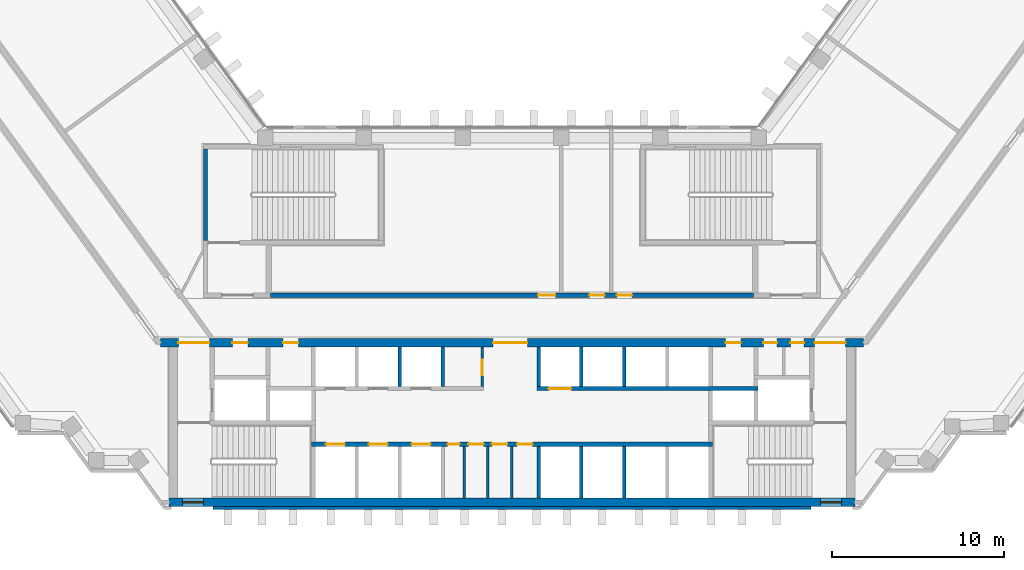
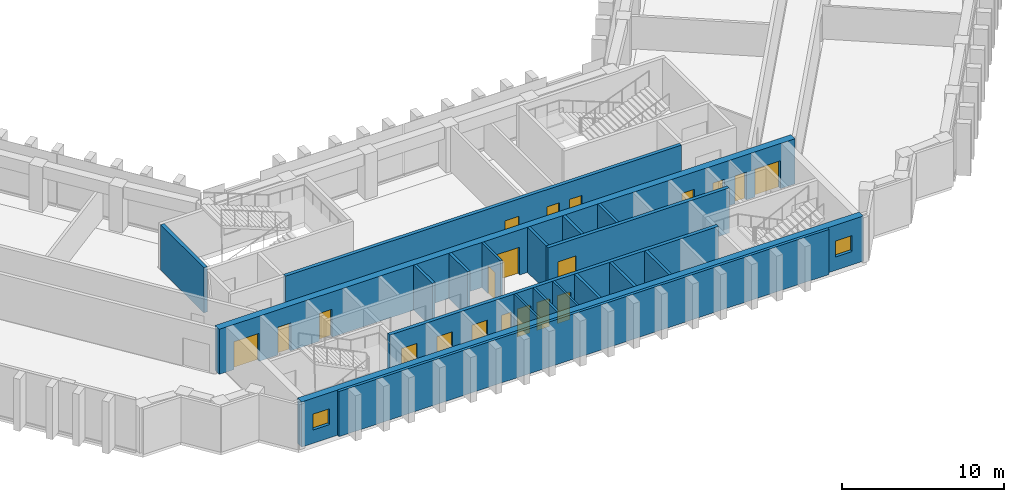
# One storey, part 5 of 11: 20 doors, 19 walls, 2 windows, 22 openings.
"""IFC4 building model written with IfcOpenShell, lengths in metres."""

from ifc_helpers import new_model, si_unit, direction, frame, frame_2d, origin, place, context, subcontext, project, spatial, rectangle, extrude, material, layer, layer_set, type_object, element, fill, save


model = new_model("IFC4")

# Units and contexts
model_context = context("Model", 3, precision=1e-05, world=origin(), true_north=direction((0.0, 1.0)))
body_context = subcontext(model_context, "Body", "Model", "MODEL_VIEW")
ifc_project = project(units=[si_unit("LENGTHUNIT", "METRE"), si_unit("AREAUNIT", "SQUARE_METRE"), si_unit("VOLUMEUNIT", "CUBIC_METRE"), si_unit("PLANEANGLEUNIT", "RADIAN"), si_unit("MASSUNIT", "GRAM", prefix="KILO")], contexts=[model_context])

# Site, building, storey
site_placement = place(None, origin())
site = spatial("IfcSite", under=ifc_project, at=site_placement, CompositionType="ELEMENT")
building_placement = place(site_placement, origin())
building = spatial("IfcBuilding", under=site, at=building_placement, Name="Quipu Civic Tower", CompositionType="ELEMENT")
storey_placement = place(building_placement, frame((0.0, 0.0, 129.0)))
storey = spatial("IfcBuildingStorey", under=building, at=storey_placement, Name="L30", CompositionType="ELEMENT", Elevation=129.0)

# Wall, openings, doors
ifc_material_1 = material(Name="Concrete C70/85", Category="concrete")
ifc_layer_1 = layer(ifc_material_1, 0.25)
ifc_layer_set_1 = layer_set([ifc_layer_1], Name="Concrete C70/85")
wall_type_1 = type_object("IfcWallType", Name="Core wall 250", PredefinedType="SHEAR", material=ifc_layer_set_1)
wall_1_placement = place(storey_placement, frame((11.699951171875, -7.375, 0.0), z_axis=(0.0, 0.0, 1.0), x_axis=(-1.0, 0.0, 0.0)))
wall_1 = element("IfcWall", 1, at=wall_1_placement, inside=storey, type_object=wall_type_1, Name="Core wall", PredefinedType="SHEAR", context=body_context, shape_type="SweptSolid", body=[
    extrude(rectangle(XDim=23.39990234375, YDim=0.25, at=frame_2d((11.699951171875, 0.0))), origin(), (0.0, 0.0, 1.0), 3.39990234375),
])
opening_1_placement = place(wall_1_placement, frame((21.449951171875, 0.0, 0.0)))
opening_1 = element("IfcOpeningElement", 2, at=opening_1_placement, cuts=wall_1, Name="Opening LD-LL1", PredefinedType="OPENING", context=body_context, shape_type="SweptSolid", body=[
    extrude(rectangle(XDim=1.10009765625, YDim=2.10009765625, at=frame_2d((0.550048828125, 1.050048828125))), frame((0.0, 0.135009765625, 0.0), z_axis=(0.0, -1.0, 0.0), x_axis=(1.0, 0.0, 0.0)), (0.0, 0.0, 1.0), 0.27001953125),
])
opening_2_placement = place(wall_1_placement, frame((18.949951171875, 0.0, 0.0)))
opening_2 = element("IfcOpeningElement", 3, at=opening_2_placement, cuts=wall_1, Name="Opening LD-LL2", PredefinedType="OPENING", context=body_context, shape_type="SweptSolid", body=[
    extrude(rectangle(XDim=1.10009765625, YDim=2.10009765625, at=frame_2d((0.550048828125, 1.050048828125))), frame((0.0, 0.135009765625, 0.0), z_axis=(0.0, -1.0, 0.0), x_axis=(1.0, 0.0, 0.0)), (0.0, 0.0, 1.0), 0.27001953125),
])
opening_3_placement = place(wall_1_placement, frame((16.449951171875, 0.0, 0.0)))
opening_3 = element("IfcOpeningElement", 4, at=opening_3_placement, cuts=wall_1, Name="Opening LD-LL3", PredefinedType="OPENING", context=body_context, shape_type="SweptSolid", body=[
    extrude(rectangle(XDim=1.10009765625, YDim=2.10009765625, at=frame_2d((0.550048828125, 1.050048828125))), frame((0.0, 0.135009765625, 0.0), z_axis=(0.0, -1.0, 0.0), x_axis=(1.0, 0.0, 0.0)), (0.0, 0.0, 1.0), 0.27001953125),
])
opening_4_placement = place(wall_1_placement, frame((14.75, 0.0, 0.0)))
opening_4 = element("IfcOpeningElement", 5, at=opening_4_placement, cuts=wall_1, Name="Opening CD-01", PredefinedType="OPENING", context=body_context, shape_type="SweptSolid", body=[
    extrude(rectangle(XDim=0.699951171875, YDim=2.10009765625, at=frame_2d((0.35009765625, 1.050048828125))), frame((0.0, 0.135009765625, 0.0), z_axis=(0.0, -1.0, 0.0), x_axis=(1.0, 0.0, 0.0)), (0.0, 0.0, 1.0), 0.27001953125),
])
opening_5_placement = place(wall_1_placement, frame((13.35009765625, 0.0, 0.0)))
opening_5 = element("IfcOpeningElement", 6, at=opening_5_placement, cuts=wall_1, Name="Opening CD-02", PredefinedType="OPENING", context=body_context, shape_type="SweptSolid", body=[
    extrude(rectangle(XDim=0.89990234375, YDim=2.10009765625, at=frame_2d((0.449951171875, 1.050048828125))), frame((0.0, 0.135009765625, 0.0), z_axis=(0.0, -1.0, 0.0), x_axis=(1.0, 0.0, 0.0)), (0.0, 0.0, 1.0), 0.27001953125),
])
opening_6_placement = place(wall_1_placement, frame((11.97509765625, 0.0, 0.0)))
opening_6 = element("IfcOpeningElement", 7, at=opening_6_placement, cuts=wall_1, Name="Opening CD-03", PredefinedType="OPENING", context=body_context, shape_type="SweptSolid", body=[
    extrude(rectangle(XDim=0.89990234375, YDim=2.10009765625, at=frame_2d((0.449951171875, 1.050048828125))), frame((0.0, 0.135009765625, 0.0), z_axis=(0.0, -1.0, 0.0), x_axis=(1.0, 0.0, 0.0)), (0.0, 0.0, 1.0), 0.27001953125),
])
opening_7_placement = place(wall_1_placement, frame((10.5, 0.0, 0.0)))
opening_7 = element("IfcOpeningElement", 8, at=opening_7_placement, cuts=wall_1, Name="Opening CD-04", PredefinedType="OPENING", context=body_context, shape_type="SweptSolid", body=[
    extrude(rectangle(XDim=0.89990234375, YDim=2.10009765625, at=frame_2d((0.449951171875, 1.050048828125))), frame((0.0, 0.135009765625, 0.0), z_axis=(0.0, -1.0, 0.0), x_axis=(1.0, 0.0, 0.0)), (0.0, 0.0, 1.0), 0.27001953125),
])
ifc_material_2 = material(Name="Fire rated steel door", Category="steel")
door_type_1 = type_object("IfcDoorType", Name="Fire door FD60 700 x 2100", OperationType="NOTDEFINED", PredefinedType="DOOR", material=ifc_material_2)
door_1_placement = place(opening_4_placement, origin())
door_1 = element("IfcDoor", 9, at=door_1_placement, inside=storey, type_object=door_type_1, Name="Door", OperationType="SINGLE_SWING_RIGHT", OverallHeight=2.10009765625, OverallWidth=0.699951171875, PredefinedType="DOOR", context=body_context, shape_type="SweptSolid", body=[
    extrude(rectangle(XDim=0.699951171875, YDim=2.10009765625, at=frame_2d((0.35009765625, 1.050048828125))), frame((0.0, 0.02490234375, 0.0), z_axis=(0.0, -1.0, 0.0), x_axis=(1.0, 0.0, 0.0)), (0.0, 0.0, 1.0), 0.050048828125),
])
fill(opening_4, door_1)
ifc_material_3 = material(Name="Fire rated steel door", Category="steel")
door_type_2 = type_object("IfcDoorType", Name="Fire door FD60 900 x 2100", OperationType="NOTDEFINED", PredefinedType="DOOR", material=ifc_material_3)
door_2_placement = place(opening_5_placement, origin())
door_2 = element("IfcDoor", 10, at=door_2_placement, inside=storey, type_object=door_type_2, Name="WC door", OperationType="SINGLE_SWING_RIGHT", OverallHeight=2.10009765625, OverallWidth=0.89990234375, PredefinedType="DOOR", context=body_context, shape_type="SweptSolid", body=[
    extrude(rectangle(XDim=0.89990234375, YDim=2.10009765625, at=frame_2d((0.449951171875, 1.050048828125))), frame((0.0, 0.02490234375, 0.0), z_axis=(0.0, -1.0, 0.0), x_axis=(1.0, 0.0, 0.0)), (0.0, 0.0, 1.0), 0.050048828125),
])
fill(opening_5, door_2)
door_3_placement = place(opening_6_placement, origin())
door_3 = element("IfcDoor", 11, at=door_3_placement, inside=storey, type_object=door_type_2, Name="WC door", OperationType="SINGLE_SWING_RIGHT", OverallHeight=2.10009765625, OverallWidth=0.89990234375, PredefinedType="DOOR", context=body_context, shape_type="SweptSolid", body=[
    extrude(rectangle(XDim=0.89990234375, YDim=2.10009765625, at=frame_2d((0.449951171875, 1.050048828125))), frame((0.0, 0.02490234375, 0.0), z_axis=(0.0, -1.0, 0.0), x_axis=(1.0, 0.0, 0.0)), (0.0, 0.0, 1.0), 0.050048828125),
])
fill(opening_6, door_3)
door_4_placement = place(opening_7_placement, origin())
door_4 = element("IfcDoor", 12, at=door_4_placement, inside=storey, type_object=door_type_2, Name="WC door", OperationType="SINGLE_SWING_LEFT", OverallHeight=2.10009765625, OverallWidth=0.89990234375, PredefinedType="DOOR", context=body_context, shape_type="SweptSolid", body=[
    extrude(rectangle(XDim=0.89990234375, YDim=2.10009765625, at=frame_2d((0.449951171875, 1.050048828125))), frame((0.0, 0.02490234375, 0.0), z_axis=(0.0, -1.0, 0.0), x_axis=(1.0, 0.0, 0.0)), (0.0, 0.0, 1.0), 0.050048828125),
])
fill(opening_7, door_4)
ifc_material_4 = material(Name="Stainless steel", Category="steel")
door_type_3 = type_object("IfcDoorType", Name="Lift landing door 1100 x 2100", OperationType="DOUBLE_DOOR_SLIDING", PredefinedType="DOOR", material=ifc_material_4)
door_5_placement = place(opening_1_placement, origin())
door_5 = element("IfcDoor", 13, at=door_5_placement, inside=storey, type_object=door_type_3, Name="Landing door LL1", OperationType="DOUBLE_DOOR_SLIDING", OverallHeight=2.10009765625, OverallWidth=1.10009765625, PredefinedType="DOOR", context=body_context, shape_type="SweptSolid", body=[
    extrude(rectangle(XDim=1.10009765625, YDim=2.10009765625, at=frame_2d((0.550048828125, 1.050048828125))), frame((0.0, 0.02490234375, 0.0), z_axis=(0.0, -1.0, 0.0), x_axis=(1.0, 0.0, 0.0)), (0.0, 0.0, 1.0), 0.050048828125),
])
fill(opening_1, door_5)
door_6_placement = place(opening_2_placement, origin())
door_6 = element("IfcDoor", 14, at=door_6_placement, inside=storey, type_object=door_type_3, Name="Landing door LL2", OperationType="DOUBLE_DOOR_SLIDING", OverallHeight=2.10009765625, OverallWidth=1.10009765625, PredefinedType="DOOR", context=body_context, shape_type="SweptSolid", body=[
    extrude(rectangle(XDim=1.10009765625, YDim=2.10009765625, at=frame_2d((0.550048828125, 1.050048828125))), frame((0.0, 0.02490234375, 0.0), z_axis=(0.0, -1.0, 0.0), x_axis=(1.0, 0.0, 0.0)), (0.0, 0.0, 1.0), 0.050048828125),
])
fill(opening_2, door_6)
door_7_placement = place(opening_3_placement, origin())
door_7 = element("IfcDoor", 15, at=door_7_placement, inside=storey, type_object=door_type_3, Name="Landing door LL3", OperationType="DOUBLE_DOOR_SLIDING", OverallHeight=2.10009765625, OverallWidth=1.10009765625, PredefinedType="DOOR", context=body_context, shape_type="SweptSolid", body=[
    extrude(rectangle(XDim=1.10009765625, YDim=2.10009765625, at=frame_2d((0.550048828125, 1.050048828125))), frame((0.0, 0.02490234375, 0.0), z_axis=(0.0, -1.0, 0.0), x_axis=(1.0, 0.0, 0.0)), (0.0, 0.0, 1.0), 0.050048828125),
])
fill(opening_3, door_7)

# Wall, opening, door
wall_2_placement = place(storey_placement, frame((1.449951171875, -4.125, 0.0), z_axis=(0.0, 0.0, 1.0), x_axis=(1.0, 0.0, 0.0)))
wall_2 = element("IfcWall", 16, at=wall_2_placement, inside=storey, type_object=wall_type_1, Name="Core wall", PredefinedType="SHEAR", context=body_context, shape_type="SweptSolid", body=[
    extrude(rectangle(XDim=12.900146484375, YDim=0.25, at=frame_2d((6.4501953125, 0.0))), origin(), (0.0, 0.0, 1.0), 3.39990234375),
])
opening_8_placement = place(wall_2_placement, frame((0.699951171875, 0.0, 0.0)))
opening_8 = element("IfcOpeningElement", 17, at=opening_8_placement, cuts=wall_2, Name="Opening LD-FF3", PredefinedType="OPENING", context=body_context, shape_type="SweptSolid", body=[
    extrude(rectangle(XDim=1.300048828125, YDim=2.10009765625, at=frame_2d((0.64990234375, 1.050048828125))), frame((0.0, 0.135009765625, 0.0), z_axis=(0.0, -1.0, 0.0), x_axis=(1.0, 0.0, 0.0)), (0.0, 0.0, 1.0), 0.27001953125),
])
ifc_material_5 = material(Name="Stainless steel", Category="steel")
door_type_4 = type_object("IfcDoorType", Name="Lift landing door 1300 x 2100", OperationType="DOUBLE_DOOR_SLIDING", PredefinedType="DOOR", material=ifc_material_5)
door_8_placement = place(opening_8_placement, origin())
door_8 = element("IfcDoor", 18, at=door_8_placement, inside=storey, type_object=door_type_4, Name="Landing door FF3", OperationType="DOUBLE_DOOR_SLIDING", OverallHeight=2.10009765625, OverallWidth=1.300048828125, PredefinedType="DOOR", context=body_context, shape_type="SweptSolid", body=[
    extrude(rectangle(XDim=1.300048828125, YDim=2.10009765625, at=frame_2d((0.64990234375, 1.050048828125))), frame((0.0, 0.02490234375, 0.0), z_axis=(0.0, -1.0, 0.0), x_axis=(1.0, 0.0, 0.0)), (0.0, 0.0, 1.0), 0.050048828125),
])
fill(opening_8, door_8)

# Wall
wall_3_placement = place(storey_placement, frame((-17.875, 4.5, 0.0), z_axis=(0.0, 0.0, 1.0), x_axis=(0.0, 1.0, 0.0)))
element("IfcWall", 19, at=wall_3_placement, inside=storey, type_object=wall_type_1, Name="Core wall", PredefinedType="SHEAR", context=body_context, shape_type="SweptSolid", body=[
    extrude(rectangle(XDim=5.35009765625, YDim=0.25, at=frame_2d((2.675048828125, 0.0))), origin(), (0.0, 0.0, 1.0), 3.39990234375),
])

# Wall, openings, windows
ifc_material_6 = material(Name="Concrete C70/85", Category="concrete")
ifc_layer_2 = layer(ifc_material_6, 0.5)
ifc_layer_set_2 = layer_set([ifc_layer_2], Name="Concrete C70/85")
wall_type_2 = type_object("IfcWallType", Name="Core wall 500", PredefinedType="SHEAR", material=ifc_layer_set_2)
wall_4_placement = place(storey_placement, frame((-20.0, -10.75, 0.0), z_axis=(0.0, 0.0, 1.0), x_axis=(1.0, 0.0, 0.0)))
wall_4 = element("IfcWall", 20, at=wall_4_placement, inside=storey, type_object=wall_type_2, Name="Core wall", PredefinedType="SHEAR", context=body_context, shape_type="SweptSolid", body=[
    extrude(rectangle(XDim=40.0, YDim=0.5, at=frame_2d((20.0, 0.0))), origin(), (0.0, 0.0, 1.0), 3.39990234375),
])
opening_9_placement = place(wall_4_placement, frame((0.800048828125, 0.0, 1.0)))
opening_9 = element("IfcOpeningElement", 21, at=opening_9_placement, cuts=wall_4, Name="Opening SV-1", PredefinedType="OPENING", context=body_context, shape_type="SweptSolid", body=[
    extrude(rectangle(XDim=1.199951171875, YDim=1.199951171875, at=frame_2d((0.60009765625, 0.60009765625))), frame((0.0, 0.260009765625, 0.0), z_axis=(0.0, -1.0, 0.0), x_axis=(1.0, 0.0, 0.0)), (0.0, 0.0, 1.0), 0.52001953125),
])
opening_10_placement = place(wall_4_placement, frame((38.0, 0.0, 1.0)))
opening_10 = element("IfcOpeningElement", 22, at=opening_10_placement, cuts=wall_4, Name="Opening SV-2", PredefinedType="OPENING", context=body_context, shape_type="SweptSolid", body=[
    extrude(rectangle(XDim=1.199951171875, YDim=1.199951171875, at=frame_2d((0.60009765625, 0.60009765625))), frame((0.0, 0.260009765625, 0.0), z_axis=(0.0, -1.0, 0.0), x_axis=(1.0, 0.0, 0.0)), (0.0, 0.0, 1.0), 0.52001953125),
])
ifc_material_7 = material(Name="Aluminium louvre", Category="aluminium")
window_type = type_object("IfcWindowType", Name="Stair ventilation louvre 1200 x 1200", PartitioningType="SINGLE_PANEL", PredefinedType="WINDOW", material=ifc_material_7)
window_1_placement = place(opening_9_placement, origin())
window_1 = element("IfcWindow", 23, at=window_1_placement, inside=storey, type_object=window_type, Name="Stair ventilation opening", OverallHeight=1.199951171875, OverallWidth=1.199951171875, PartitioningType="SINGLE_PANEL", PredefinedType="WINDOW", context=body_context, shape_type="SweptSolid", body=[
    extrude(rectangle(XDim=1.199951171875, YDim=1.199951171875, at=frame_2d((0.60009765625, 0.60009765625))), frame((0.0, 0.030029296875, 0.0), z_axis=(0.0, -1.0, 0.0), x_axis=(1.0, 0.0, 0.0)), (0.0, 0.0, 1.0), 0.06005859375),
])
fill(opening_9, window_1)
window_2_placement = place(opening_10_placement, origin())
window_2 = element("IfcWindow", 24, at=window_2_placement, inside=storey, type_object=window_type, Name="Stair ventilation opening", OverallHeight=1.199951171875, OverallWidth=1.199951171875, PartitioningType="SINGLE_PANEL", PredefinedType="WINDOW", context=body_context, shape_type="SweptSolid", body=[
    extrude(rectangle(XDim=1.199951171875, YDim=1.199951171875, at=frame_2d((0.60009765625, 0.60009765625))), frame((0.0, 0.030029296875, 0.0), z_axis=(0.0, -1.0, 0.0), x_axis=(1.0, 0.0, 0.0)), (0.0, 0.0, 1.0), 0.06005859375),
])
fill(opening_10, window_2)

# Wall, openings, doors
wall_5_placement = place(storey_placement, frame((20.489990234375, -1.449951171875, 0.0), z_axis=(0.0, 0.0, 1.0), x_axis=(-1.0, 0.0, 0.0)))
wall_5 = element("IfcWall", 25, at=wall_5_placement, inside=storey, type_object=wall_type_2, Name="Core wall", PredefinedType="SHEAR", context=body_context, shape_type="SweptSolid", body=[
    extrude(rectangle(XDim=40.97998046875, YDim=0.5, at=frame_2d((20.489990234375, 0.0))), origin(), (0.0, 0.0, 1.0), 3.39990234375),
])
opening_11_placement = place(wall_5_placement, frame((38.139892578125, 0.0, 0.0)))
opening_11 = element("IfcOpeningElement", 26, at=opening_11_placement, cuts=wall_5, Name="Opening CD-08", PredefinedType="OPENING", context=body_context, shape_type="SweptSolid", body=[
    extrude(rectangle(XDim=1.800048828125, YDim=2.10009765625, at=frame_2d((0.89990234375, 1.050048828125))), frame((0.0, 0.260009765625, 0.0), z_axis=(0.0, -1.0, 0.0), x_axis=(1.0, 0.0, 0.0)), (0.0, 0.0, 1.0), 0.52001953125),
])
opening_12_placement = place(wall_5_placement, frame((35.889892578125, 0.0, 0.0)))
opening_12 = element("IfcOpeningElement", 27, at=opening_12_placement, cuts=wall_5, Name="Opening CD-09", PredefinedType="OPENING", context=body_context, shape_type="SweptSolid", body=[
    extrude(rectangle(XDim=0.89990234375, YDim=2.10009765625, at=frame_2d((0.449951171875, 1.050048828125))), frame((0.0, 0.260009765625, 0.0), z_axis=(0.0, -1.0, 0.0), x_axis=(1.0, 0.0, 0.0)), (0.0, 0.0, 1.0), 0.52001953125),
])
opening_13_placement = place(wall_5_placement, frame((32.93994140625, 0.0, 0.0)))
opening_13 = element("IfcOpeningElement", 28, at=opening_13_placement, cuts=wall_5, Name="Opening CD-10", PredefinedType="OPENING", context=body_context, shape_type="SweptSolid", body=[
    extrude(rectangle(XDim=0.89990234375, YDim=2.10009765625, at=frame_2d((0.449951171875, 1.050048828125))), frame((0.0, 0.260009765625, 0.0), z_axis=(0.0, -1.0, 0.0), x_axis=(1.0, 0.0, 0.0)), (0.0, 0.0, 1.0), 0.52001953125),
])
opening_14_placement = place(wall_5_placement, frame((19.590087890625, 0.0, 0.0)))
opening_14 = element("IfcOpeningElement", 29, at=opening_14_placement, cuts=wall_5, Name="Opening CD-11", PredefinedType="OPENING", context=body_context, shape_type="SweptSolid", body=[
    extrude(rectangle(XDim=2.0, YDim=2.10009765625, at=frame_2d((1.0, 1.050048828125))), frame((0.0, 0.260009765625, 0.0), z_axis=(0.0, -1.0, 0.0), x_axis=(1.0, 0.0, 0.0)), (0.0, 0.0, 1.0), 0.52001953125),
])
opening_15_placement = place(wall_5_placement, frame((7.139892578125, 0.0, 0.0)))
opening_15 = element("IfcOpeningElement", 30, at=opening_15_placement, cuts=wall_5, Name="Opening CD-12", PredefinedType="OPENING", context=body_context, shape_type="SweptSolid", body=[
    extrude(rectangle(XDim=0.89990234375, YDim=2.10009765625, at=frame_2d((0.449951171875, 1.050048828125))), frame((0.0, 0.260009765625, 0.0), z_axis=(0.0, -1.0, 0.0), x_axis=(1.0, 0.0, 0.0)), (0.0, 0.0, 1.0), 0.52001953125),
])
opening_16_placement = place(wall_5_placement, frame((5.027587890625, 0.0, 0.0)))
opening_16 = element("IfcOpeningElement", 31, at=opening_16_placement, cuts=wall_5, Name="Opening CD-13", PredefinedType="OPENING", context=body_context, shape_type="SweptSolid", body=[
    extrude(rectangle(XDim=0.800048828125, YDim=2.10009765625, at=frame_2d((0.39990234375, 1.050048828125))), frame((0.0, 0.260009765625, 0.0), z_axis=(0.0, -1.0, 0.0), x_axis=(1.0, 0.0, 0.0)), (0.0, 0.0, 1.0), 0.52001953125),
])
opening_17_placement = place(wall_5_placement, frame((3.452392578125, 0.0, 0.0)))
opening_17 = element("IfcOpeningElement", 32, at=opening_17_placement, cuts=wall_5, Name="Opening CD-14", PredefinedType="OPENING", context=body_context, shape_type="SweptSolid", body=[
    extrude(rectangle(XDim=0.800048828125, YDim=2.10009765625, at=frame_2d((0.39990234375, 1.050048828125))), frame((0.0, 0.260009765625, 0.0), z_axis=(0.0, -1.0, 0.0), x_axis=(1.0, 0.0, 0.0)), (0.0, 0.0, 1.0), 0.52001953125),
])
opening_18_placement = place(wall_5_placement, frame((1.0400390625, 0.0, 0.0)))
opening_18 = element("IfcOpeningElement", 33, at=opening_18_placement, cuts=wall_5, Name="Opening CD-15", PredefinedType="OPENING", context=body_context, shape_type="SweptSolid", body=[
    extrude(rectangle(XDim=1.800048828125, YDim=2.10009765625, at=frame_2d((0.89990234375, 1.050048828125))), frame((0.0, 0.260009765625, 0.0), z_axis=(0.0, -1.0, 0.0), x_axis=(1.0, 0.0, 0.0)), (0.0, 0.0, 1.0), 0.52001953125),
])
ifc_material_8 = material(Name="Fire rated steel door", Category="steel")
door_type_5 = type_object("IfcDoorType", Name="Fire door FD60 800 x 2100", OperationType="NOTDEFINED", PredefinedType="DOOR", material=ifc_material_8)
door_9_placement = place(opening_16_placement, origin())
door_9 = element("IfcDoor", 34, at=door_9_placement, inside=storey, type_object=door_type_5, Name="Door", OperationType="SINGLE_SWING_LEFT", OverallHeight=2.10009765625, OverallWidth=0.800048828125, PredefinedType="DOOR", context=body_context, shape_type="SweptSolid", body=[
    extrude(rectangle(XDim=0.800048828125, YDim=2.10009765625, at=frame_2d((0.39990234375, 1.050048828125))), frame((0.0, 0.02490234375, 0.0), z_axis=(0.0, -1.0, 0.0), x_axis=(1.0, 0.0, 0.0)), (0.0, 0.0, 1.0), 0.050048828125),
])
fill(opening_16, door_9)
door_10_placement = place(opening_17_placement, origin())
door_10 = element("IfcDoor", 35, at=door_10_placement, inside=storey, type_object=door_type_5, Name="Door", OperationType="SINGLE_SWING_LEFT", OverallHeight=2.10009765625, OverallWidth=0.800048828125, PredefinedType="DOOR", context=body_context, shape_type="SweptSolid", body=[
    extrude(rectangle(XDim=0.800048828125, YDim=2.10009765625, at=frame_2d((0.39990234375, 1.050048828125))), frame((0.0, 0.02490234375, 0.0), z_axis=(0.0, -1.0, 0.0), x_axis=(1.0, 0.0, 0.0)), (0.0, 0.0, 1.0), 0.050048828125),
])
fill(opening_17, door_10)
door_11_placement = place(opening_12_placement, origin())
door_11 = element("IfcDoor", 36, at=door_11_placement, inside=storey, type_object=door_type_2, Name="Door", OperationType="SINGLE_SWING_RIGHT", OverallHeight=2.10009765625, OverallWidth=0.89990234375, PredefinedType="DOOR", context=body_context, shape_type="SweptSolid", body=[
    extrude(rectangle(XDim=0.89990234375, YDim=2.10009765625, at=frame_2d((0.449951171875, 1.050048828125))), frame((0.0, 0.02490234375, 0.0), z_axis=(0.0, -1.0, 0.0), x_axis=(1.0, 0.0, 0.0)), (0.0, 0.0, 1.0), 0.050048828125),
])
fill(opening_12, door_11)
door_12_placement = place(opening_13_placement, origin())
door_12 = element("IfcDoor", 37, at=door_12_placement, inside=storey, type_object=door_type_2, Name="Riser door", OperationType="SINGLE_SWING_RIGHT", OverallHeight=2.10009765625, OverallWidth=0.89990234375, PredefinedType="DOOR", context=body_context, shape_type="SweptSolid", body=[
    extrude(rectangle(XDim=0.89990234375, YDim=2.10009765625, at=frame_2d((0.449951171875, 1.050048828125))), frame((0.0, 0.02490234375, 0.0), z_axis=(0.0, -1.0, 0.0), x_axis=(1.0, 0.0, 0.0)), (0.0, 0.0, 1.0), 0.050048828125),
])
fill(opening_13, door_12)
door_13_placement = place(opening_15_placement, origin())
door_13 = element("IfcDoor", 38, at=door_13_placement, inside=storey, type_object=door_type_2, Name="Riser door", OperationType="SINGLE_SWING_LEFT", OverallHeight=2.10009765625, OverallWidth=0.89990234375, PredefinedType="DOOR", context=body_context, shape_type="SweptSolid", body=[
    extrude(rectangle(XDim=0.89990234375, YDim=2.10009765625, at=frame_2d((0.449951171875, 1.050048828125))), frame((0.0, 0.02490234375, 0.0), z_axis=(0.0, -1.0, 0.0), x_axis=(1.0, 0.0, 0.0)), (0.0, 0.0, 1.0), 0.050048828125),
])
fill(opening_15, door_13)
ifc_material_9 = material(Name="Fire rated steel door", Category="steel")
door_type_6 = type_object("IfcDoorType", Name="Fire door FD90 double 1800 x 2100", OperationType="NOTDEFINED", PredefinedType="DOOR", material=ifc_material_9)
door_14_placement = place(opening_11_placement, origin())
door_14 = element("IfcDoor", 39, at=door_14_placement, inside=storey, type_object=door_type_6, Name="Lobby door", OperationType="DOUBLE_DOOR_SINGLE_SWING", OverallHeight=2.10009765625, OverallWidth=1.800048828125, PredefinedType="DOOR", context=body_context, shape_type="SweptSolid", body=[
    extrude(rectangle(XDim=1.800048828125, YDim=2.10009765625, at=frame_2d((0.89990234375, 1.050048828125))), frame((0.0, 0.02490234375, 0.0), z_axis=(0.0, -1.0, 0.0), x_axis=(1.0, 0.0, 0.0)), (0.0, 0.0, 1.0), 0.050048828125),
])
fill(opening_11, door_14)
door_15_placement = place(opening_18_placement, origin())
door_15 = element("IfcDoor", 40, at=door_15_placement, inside=storey, type_object=door_type_6, Name="Lobby door", OperationType="DOUBLE_DOOR_SINGLE_SWING", OverallHeight=2.10009765625, OverallWidth=1.800048828125, PredefinedType="DOOR", context=body_context, shape_type="SweptSolid", body=[
    extrude(rectangle(XDim=1.800048828125, YDim=2.10009765625, at=frame_2d((0.89990234375, 1.050048828125))), frame((0.0, 0.02490234375, 0.0), z_axis=(0.0, -1.0, 0.0), x_axis=(1.0, 0.0, 0.0)), (0.0, 0.0, 1.0), 0.050048828125),
])
fill(opening_18, door_15)
ifc_material_10 = material(Name="Fire rated steel door", Category="steel")
door_type_7 = type_object("IfcDoorType", Name="Fire door FD90 double 2000 x 2100", OperationType="NOTDEFINED", PredefinedType="DOOR", material=ifc_material_10)
door_16_placement = place(opening_14_placement, origin())
door_16 = element("IfcDoor", 41, at=door_16_placement, inside=storey, type_object=door_type_7, Name="Lobby door", OperationType="DOUBLE_DOOR_SINGLE_SWING", OverallHeight=2.10009765625, OverallWidth=2.0, PredefinedType="DOOR", context=body_context, shape_type="SweptSolid", body=[
    extrude(rectangle(XDim=2.0, YDim=2.10009765625, at=frame_2d((1.0, 1.050048828125))), frame((0.0, 0.02490234375, 0.0), z_axis=(0.0, -1.0, 0.0), x_axis=(1.0, 0.0, 0.0)), (0.0, 0.0, 1.0), 0.050048828125),
])
fill(opening_14, door_16)

ifc_material_11 = material(Name="Concrete C50/60", Category="concrete")
ifc_layer_3 = layer(ifc_material_11, 0.25)
ifc_layer_set_3 = layer_set([ifc_layer_3], Name="Concrete C50/60")
wall_type_3 = type_object("IfcWallType", Name="Corridor wall 250 concrete", PredefinedType="SOLIDWALL", material=ifc_layer_set_3)
wall_6_placement = place(storey_placement, frame((-14.090087890625, 1.324951171875, 0.0), z_axis=(0.0, 0.0, 1.0), x_axis=(1.0, 0.0, 0.0)))
wall_6 = element("IfcWall", 42, at=wall_6_placement, inside=storey, type_object=wall_type_3, Name="Corridor wall C04", PredefinedType="SOLIDWALL", context=body_context, shape_type="SweptSolid", body=[
    extrude(rectangle(XDim=28.18017578125, YDim=0.25, at=frame_2d((14.090087890625, 0.0))), origin(), (0.0, 0.0, 1.0), 3.39990234375),
])
opening_19_placement = place(wall_6_placement, frame((20.197998046875, 0.0, 0.0)))
opening_19 = element("IfcOpeningElement", 43, at=opening_19_placement, cuts=wall_6, Name="Opening D008", PredefinedType="OPENING", context=body_context, shape_type="SweptSolid", body=[
    extrude(rectangle(XDim=0.89990234375, YDim=2.10009765625, at=frame_2d((0.449951171875, 1.050048828125))), frame((0.0, 0.135009765625, 0.0), z_axis=(0.0, -1.0, 0.0), x_axis=(1.0, 0.0, 0.0)), (0.0, 0.0, 1.0), 0.27001953125),
])
opening_20_placement = place(wall_6_placement, frame((15.618896484375, 0.0, 0.0)))
opening_20 = element("IfcOpeningElement", 44, at=opening_20_placement, cuts=wall_6, Name="Opening D006", PredefinedType="OPENING", context=body_context, shape_type="SweptSolid", body=[
    extrude(rectangle(XDim=1.0, YDim=2.10009765625, at=frame_2d((0.5, 1.050048828125))), frame((0.0, 0.135009765625, 0.0), z_axis=(0.0, -1.0, 0.0), x_axis=(1.0, 0.0, 0.0)), (0.0, 0.0, 1.0), 0.27001953125),
])
opening_21_placement = place(wall_6_placement, frame((18.597900390625, 0.0, 0.0)))
opening_21 = element("IfcOpeningElement", 45, at=opening_21_placement, cuts=wall_6, Name="Opening D007", PredefinedType="OPENING", context=body_context, shape_type="SweptSolid", body=[
    extrude(rectangle(XDim=0.89990234375, YDim=2.10009765625, at=frame_2d((0.449951171875, 1.050048828125))), frame((0.0, 0.135009765625, 0.0), z_axis=(0.0, -1.0, 0.0), x_axis=(1.0, 0.0, 0.0)), (0.0, 0.0, 1.0), 0.27001953125),
])
ifc_material_12 = material(Name="Fire rated timber door set with metal frame", Category="wood")
door_type_8 = type_object("IfcDoorType", Name="Single door 1000 x 2100 FD60", OperationType="NOTDEFINED", PredefinedType="DOOR", material=ifc_material_12)
door_17_placement = place(opening_20_placement, origin())
door_17 = element("IfcDoor", 46, at=door_17_placement, inside=storey, type_object=door_type_8, Name="Door D006", OperationType="SINGLE_SWING_RIGHT", OverallHeight=2.10009765625, OverallWidth=1.0, PredefinedType="DOOR", context=body_context, shape_type="SweptSolid", body=[
    extrude(rectangle(XDim=1.0, YDim=2.10009765625, at=frame_2d((0.5, 1.050048828125))), frame((0.0, 0.02490234375, 0.0), z_axis=(0.0, -1.0, 0.0), x_axis=(1.0, 0.0, 0.0)), (0.0, 0.0, 1.0), 0.050048828125),
])
fill(opening_20, door_17)
ifc_material_13 = material(Name="Fire rated timber door set with metal frame", Category="wood")
door_type_9 = type_object("IfcDoorType", Name="Single door 900 x 2100 FD60", OperationType="NOTDEFINED", PredefinedType="DOOR", material=ifc_material_13)
door_18_placement = place(opening_19_placement, origin())
door_18 = element("IfcDoor", 47, at=door_18_placement, inside=storey, type_object=door_type_9, Name="Door D008", OperationType="SINGLE_SWING_LEFT", OverallHeight=2.10009765625, OverallWidth=0.89990234375, PredefinedType="DOOR", context=body_context, shape_type="SweptSolid", body=[
    extrude(rectangle(XDim=0.89990234375, YDim=2.10009765625, at=frame_2d((0.449951171875, 1.050048828125))), frame((0.0, 0.02490234375, 0.0), z_axis=(0.0, -1.0, 0.0), x_axis=(1.0, 0.0, 0.0)), (0.0, 0.0, 1.0), 0.050048828125),
])
fill(opening_19, door_18)
door_19_placement = place(opening_21_placement, origin())
door_19 = element("IfcDoor", 48, at=door_19_placement, inside=storey, type_object=door_type_9, Name="Door D007", OperationType="SINGLE_SWING_RIGHT", OverallHeight=2.10009765625, OverallWidth=0.89990234375, PredefinedType="DOOR", context=body_context, shape_type="SweptSolid", body=[
    extrude(rectangle(XDim=0.89990234375, YDim=2.10009765625, at=frame_2d((0.449951171875, 1.050048828125))), frame((0.0, 0.02490234375, 0.0), z_axis=(0.0, -1.0, 0.0), x_axis=(1.0, 0.0, 0.0)), (0.0, 0.0, 1.0), 0.050048828125),
])
fill(opening_21, door_19)

# Walls
ifc_material_14 = material(Name="Gypsum board partition")
ifc_layer_4 = layer(ifc_material_14, 0.14990234375)
ifc_layer_set_4 = layer_set([ifc_layer_4], Name="Gypsum board partition")
wall_type_4 = type_object("IfcWallType", Name="Partition 150", PredefinedType="PARTITIONING", material=ifc_layer_set_4)
for number, where, z_axis, x_axis, name in (
    (49, (-2.77490234375, -10.5, 0.0), (0.0, 0.0, 1.0), (0.0, 1.0, 0.0), "Partition"),
    (50, (-1.425048828125, -10.5, 0.0), (0.0, 0.0, 1.0), (0.0, 1.0, 0.0), "Partition"),
    (51, (-0.02490234375, -10.5, 0.0), (0.0, 0.0, 1.0), (0.0, 1.0, 0.0), "Partition"),
):
    element("IfcWall", number, at=place(storey_placement, frame(where, z_axis=z_axis, x_axis=x_axis)), inside=storey, type_object=wall_type_4, Name=name, PredefinedType="PARTITIONING", context=body_context, shape_type="SweptSolid", body=[
        extrude(rectangle(XDim=3.0, YDim=0.14990234375, at=frame_2d((1.5, 0.0))), origin(), (0.0, 0.0, 1.0), 3.39990234375),
    ])

# Wall, opening, door
wall_7_placement = place(storey_placement, frame((-1.72509765625, -1.699951171875, 0.0), z_axis=(0.0, 0.0, 1.0), x_axis=(0.0, -1.0, 0.0)))
wall_7 = element("IfcWall", 52, at=wall_7_placement, inside=storey, type_object=wall_type_4, Name="Partition", PredefinedType="PARTITIONING", context=body_context, shape_type="SweptSolid", body=[
    extrude(rectangle(XDim=2.300048828125, YDim=0.14990234375, at=frame_2d((1.14990234375, 0.0))), origin(), (0.0, 0.0, 1.0), 3.39990234375),
])
opening_22_placement = place(wall_7_placement, frame((0.75, 0.0, 0.0)))
opening_22 = element("IfcOpeningElement", 53, at=opening_22_placement, cuts=wall_7, Name="Opening CD-07", PredefinedType="OPENING", context=body_context, shape_type="SweptSolid", body=[
    extrude(rectangle(XDim=0.89990234375, YDim=2.10009765625, at=frame_2d((0.449951171875, 1.050048828125))), frame((0.0, 0.0849609375, 0.0), z_axis=(0.0, -1.0, 0.0), x_axis=(1.0, 0.0, 0.0)), (0.0, 0.0, 1.0), 0.169921875),
])
door_20_placement = place(opening_22_placement, origin())
door_20 = element("IfcDoor", 54, at=door_20_placement, inside=storey, type_object=door_type_2, Name="WC door", OperationType="SINGLE_SWING_RIGHT", OverallHeight=2.10009765625, OverallWidth=0.89990234375, PredefinedType="DOOR", context=body_context, shape_type="SweptSolid", body=[
    extrude(rectangle(XDim=0.89990234375, YDim=2.10009765625, at=frame_2d((0.449951171875, 1.050048828125))), frame((0.0, 0.02490234375, 0.0), z_axis=(0.0, -1.0, 0.0), x_axis=(1.0, 0.0, 0.0)), (0.0, 0.0, 1.0), 0.050048828125),
])
fill(opening_22, door_20)

# Walls
ifc_material_15 = material(Name="Precast concrete C40/50", Category="concrete")
wall_type_5 = type_object("IfcWallType", Name="Precast cladding wall", PredefinedType="SOLIDWALL", material=ifc_material_15)
wall_8_placement = place(storey_placement, frame((-17.44384765625, -11.087890625, 0.0), z_axis=(0.0, 0.0, 1.0), x_axis=(1.0, 0.0, 0.0)))
element("IfcWall", 55, at=wall_8_placement, inside=storey, type_object=wall_type_5, Name="Precast cladding wall L30 P17", PredefinedType="SOLIDWALL", context=body_context, shape_type="SweptSolid", body=[
    extrude(rectangle(XDim=34.8876953125, YDim=0.199951171875, at=frame_2d((17.44384765625, 0.0))), origin(), (0.0, 0.0, 1.0), 3.39990234375),
])
ifc_material_16 = material(Name="Concrete C40/50", Category="concrete")
ifc_layer_5 = layer(ifc_material_16, 0.199951171875)
ifc_layer_set_5 = layer_set([ifc_layer_5], Name="Concrete C40/50")
wall_type_6 = type_object("IfcWallType", Name="Shaft wall 200", PredefinedType="SOLIDWALL", material=ifc_layer_set_5)
for number, where, z_axis, x_axis, name in (
    (56, (1.550048828125, -10.5, 0.0), (0.0, 0.0, 1.0), (0.0, 1.0, 0.0), "Shaft wall"),
    (57, (4.050048828125, -10.5, 0.0), (0.0, 0.0, 1.0), (0.0, 1.0, 0.0), "Shaft wall"),
    (58, (6.550048828125, -10.5, 0.0), (0.0, 0.0, 1.0), (0.0, 1.0, 0.0), "Shaft wall"),
):
    element("IfcWall", number, at=place(storey_placement, frame(where, z_axis=z_axis, x_axis=x_axis)), inside=storey, type_object=wall_type_6, Name=name, PredefinedType="SOLIDWALL", context=body_context, shape_type="SweptSolid", body=[
        extrude(rectangle(XDim=3.0, YDim=0.199951171875, at=frame_2d((1.5, 0.0))), origin(), (0.0, 0.0, 1.0), 3.39990234375),
    ])
for number, where, z_axis, x_axis, name in (
    (59, (-6.550048828125, -4.0, 0.0), (0.0, 0.0, 1.0), (0.0, 1.0, 0.0), "Shaft wall"),
    (60, (-4.050048828125, -4.0, 0.0), (0.0, 0.0, 1.0), (0.0, 1.0, 0.0), "Shaft wall"),
    (61, (1.550048828125, -4.0, 0.0), (0.0, 0.0, 1.0), (0.0, 1.0, 0.0), "Shaft wall"),
    (62, (4.050048828125, -4.0, 0.0), (0.0, 0.0, 1.0), (0.0, 1.0, 0.0), "Shaft wall"),
    (63, (6.550048828125, -4.0, 0.0), (0.0, 0.0, 1.0), (0.0, 1.0, 0.0), "Shaft wall"),
):
    element("IfcWall", number, at=place(storey_placement, frame(where, z_axis=z_axis, x_axis=x_axis)), inside=storey, type_object=wall_type_6, Name=name, PredefinedType="SOLIDWALL", context=body_context, shape_type="SweptSolid", body=[
        extrude(rectangle(XDim=2.300048828125, YDim=0.199951171875, at=frame_2d((1.14990234375, 0.0))), origin(), (0.0, 0.0, 1.0), 3.39990234375),
    ])

save(model, "model.ifc")
